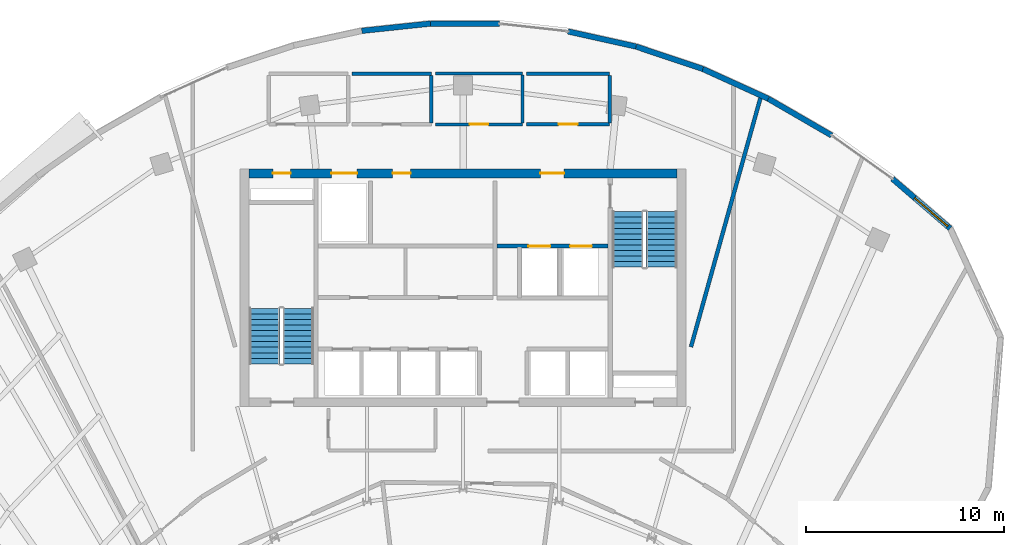
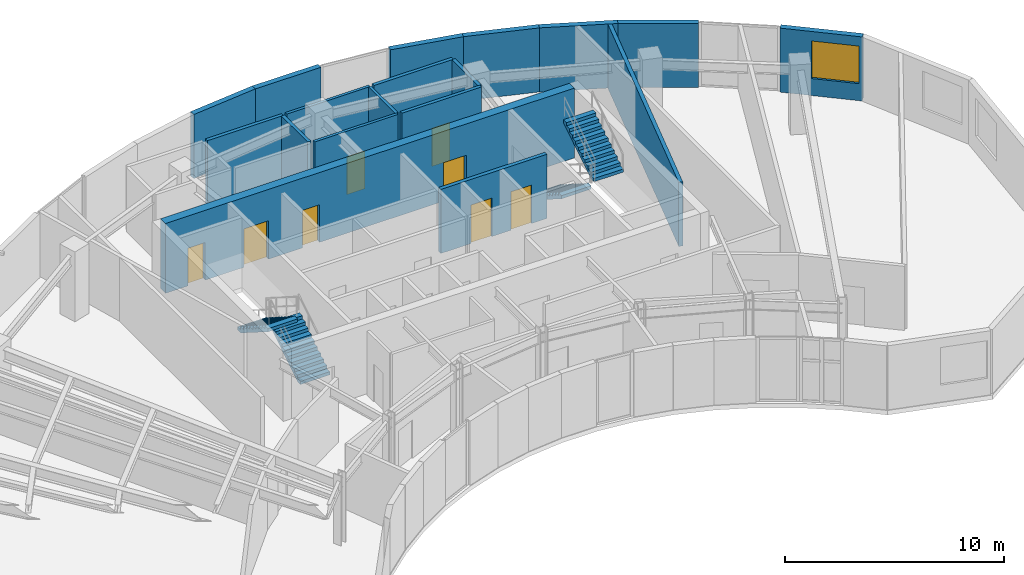
# One storey, part 10 of 12: 18 walls, 8 doors, 4 stair flights, 1 window, 9 openings, 2 elements without a shape of their own.
"""IFC4 building model written with IfcOpenShell, lengths in metres."""

from ifc_helpers import new_model, si_unit, direction, frame, frame_2d, origin, place, context, subcontext, project, spatial, polyline, rectangle, outline, extrude, source, transform, mapped, material, layer, layer_set, type_object, type_shapes, element, fill, aggregate, save


model = new_model("IFC4")

# Units and contexts
model_context = context("Model", 3, precision=1e-05, world=origin(), true_north=direction((0.0, 1.0)))
body_context = subcontext(model_context, "Body", "Model", "MODEL_VIEW")
ifc_project = project(units=[si_unit("LENGTHUNIT", "METRE"), si_unit("AREAUNIT", "SQUARE_METRE"), si_unit("VOLUMEUNIT", "CUBIC_METRE"), si_unit("PLANEANGLEUNIT", "RADIAN"), si_unit("MASSUNIT", "GRAM", prefix="KILO")], contexts=[model_context])

# Site, building, storey
site_placement = place(None, origin())
site = spatial("IfcSite", under=ifc_project, at=site_placement, CompositionType="ELEMENT")
building_placement = place(site_placement, origin())
building = spatial("IfcBuilding", under=site, at=building_placement, Name="Breltana Convention Tower", CompositionType="ELEMENT")
storey_placement = place(building_placement, frame((0.0, 0.0, 250.800048828125)))
storey = spatial("IfcBuildingStorey", under=building, at=storey_placement, Name="L61", CompositionType="ELEMENT", Elevation=250.800048828125)

# Wall, openings, doors
ifc_material_1 = material(Name="Concrete C60/75", Category="concrete")
ifc_layer_1 = layer(ifc_material_1, 0.449951171875, Name="Concrete C60/75")
ifc_layer_set_1 = layer_set([ifc_layer_1], Name="Concrete C60/75")
wall_type_1 = type_object("IfcWallType", Name="SW-CORE-450", PredefinedType="SHEAR", material=ifc_layer_set_1)
shared_shape_1 = source(origin(), body_context, "Body", "SweptSolid", [
    extrude(rectangle(XDim=21.60009765625, YDim=0.449951171875, at=frame_2d((10.800048828125, 0.0))), origin(), (0.0, 0.0, 1.0), 3.89990234375),
])
wall_1_placement = place(storey_placement, frame((37.199951171875, 71.97509765625, 0.0), z_axis=(0.0, 0.0, 1.0), x_axis=(1.0, 0.0, 0.0)))
wall_1 = element("IfcWall", 1, at=wall_1_placement, inside=storey, type_object=wall_type_1, Name="L61 North Core Shear Wall", PredefinedType="SHEAR", context=body_context, shape_type="MappedRepresentation", body=[
    mapped(shared_shape_1, transform((0.0, 0.0, 0.0), scale=1.0)),
])
opening_1_placement = place(wall_1_placement, frame((1.199951171875, 0.0, 0.0)))
opening_1 = element("IfcOpeningElement", 2, at=opening_1_placement, cuts=wall_1, Name="Opening D-18", PredefinedType="OPENING", context=body_context, shape_type="SweptSolid", body=[
    extrude(rectangle(XDim=0.89990234375, YDim=2.10009765625, at=frame_2d((0.449951171875, 1.050048828125))), frame((0.0, 0.23486328125, 0.0), z_axis=(0.0, -1.0, 0.0), x_axis=(1.0, 0.0, 0.0)), (0.0, 0.0, 1.0), 0.469970703125),
])
opening_2_placement = place(wall_1_placement, frame((14.699951171875, 0.0, 0.0)))
opening_2 = element("IfcOpeningElement", 3, at=opening_2_placement, cuts=wall_1, Name="Opening D-09", PredefinedType="OPENING", context=body_context, shape_type="SweptSolid", body=[
    extrude(rectangle(XDim=1.199951171875, YDim=2.14990234375, at=frame_2d((0.60009765625, 1.074951171875))), frame((0.0, 0.23486328125, 0.0), z_axis=(0.0, -1.0, 0.0), x_axis=(1.0, 0.0, 0.0)), (0.0, 0.0, 1.0), 0.469970703125),
])
opening_3_placement = place(wall_1_placement, frame((4.14990234375, 0.0, 0.0)))
opening_3 = element("IfcOpeningElement", 4, at=opening_3_placement, cuts=wall_1, Name="Opening LD-01", PredefinedType="OPENING", context=body_context, shape_type="SweptSolid", body=[
    extrude(rectangle(XDim=1.300048828125, YDim=2.14990234375, at=frame_2d((0.64990234375, 1.074951171875))), frame((0.0, 0.23486328125, 0.0), z_axis=(0.0, -1.0, 0.0), x_axis=(1.0, 0.0, 0.0)), (0.0, 0.0, 1.0), 0.469970703125),
])
opening_4_placement = place(wall_1_placement, frame((7.25, 0.0, 0.0)))
opening_4 = element("IfcOpeningElement", 5, at=opening_4_placement, cuts=wall_1, Name="Opening D-18", PredefinedType="OPENING", context=body_context, shape_type="SweptSolid", body=[
    extrude(rectangle(XDim=0.89990234375, YDim=2.10009765625, at=frame_2d((0.449951171875, 1.050048828125))), frame((0.0, 0.23486328125, 0.0), z_axis=(0.0, -1.0, 0.0), x_axis=(1.0, 0.0, 0.0)), (0.0, 0.0, 1.0), 0.469970703125),
])
ifc_material_2 = material(Name="Steel Riser Fire Door", Category="steel")
door_type_1 = type_object("IfcDoorType", Name="DR-FD60-900", OperationType="NOTDEFINED", PredefinedType="DOOR", material=ifc_material_2)
shared_shape_2 = source(origin(), body_context, "Body", "SweptSolid", [
    extrude(rectangle(XDim=0.89990234375, YDim=2.10009765625, at=frame_2d((0.449951171875, 1.050048828125))), frame((0.0, 0.02490234375, 0.0), z_axis=(0.0, -1.0, 0.0), x_axis=(1.0, 0.0, 0.0)), (0.0, 0.0, 1.0), 0.050048828125),
])
type_shapes(door_type_1, [shared_shape_2])
door_1_placement = place(opening_1_placement, origin())
door_1 = element("IfcDoor", 6, at=door_1_placement, inside=storey, type_object=door_type_1, Name="L61 Core Riser Access Door D-L61-RS1", OperationType="SINGLE_SWING_LEFT", OverallHeight=2.10009765625, OverallWidth=0.89990234375, PredefinedType="DOOR", context=body_context, shape_type="MappedRepresentation", body=[
    mapped(shared_shape_2, transform((0.0, 0.0, 0.0), scale=1.0)),
])
fill(opening_1, door_1)
door_2_placement = place(opening_4_placement, origin())
door_2 = element("IfcDoor", 7, at=door_2_placement, inside=storey, type_object=door_type_1, Name="L61 interior door D-L61-CRA1", OperationType="SINGLE_SWING_LEFT", OverallHeight=2.10009765625, OverallWidth=0.89990234375, PredefinedType="DOOR", context=body_context, shape_type="MappedRepresentation", body=[
    mapped(shared_shape_2, transform((0.0, 0.0, 0.0), scale=1.0)),
])
fill(opening_4, door_2)
ifc_material_3 = material(Name="Steel Fire Lobby Door", Category="steel")
door_type_2 = type_object("IfcDoorType", Name="DR-FD120-1200", OperationType="NOTDEFINED", PredefinedType="DOOR", material=ifc_material_3)
shared_shape_3 = source(origin(), body_context, "Body", "SweptSolid", [
    extrude(rectangle(XDim=1.199951171875, YDim=2.14990234375, at=frame_2d((0.60009765625, 1.074951171875))), frame((0.0, 0.02490234375, 0.0), z_axis=(0.0, -1.0, 0.0), x_axis=(1.0, 0.0, 0.0)), (0.0, 0.0, 1.0), 0.050048828125),
])
type_shapes(door_type_2, [shared_shape_3])
door_3_placement = place(opening_2_placement, origin())
door_3 = element("IfcDoor", 8, at=door_3_placement, inside=storey, type_object=door_type_2, Name="L61 interior door D-L61-FFL-N", OperationType="SINGLE_SWING_RIGHT", OverallHeight=2.14990234375, OverallWidth=1.199951171875, PredefinedType="DOOR", context=body_context, shape_type="MappedRepresentation", body=[
    mapped(shared_shape_3, transform((0.0, 0.0, 0.0), scale=1.0)),
])
fill(opening_2, door_3)
ifc_material_4 = material(Name="Stainless Steel Brushed", Category="steel")
door_type_3 = type_object("IfcDoorType", Name="DR-LD-SRV-1300", OperationType="DOUBLE_DOOR_SLIDING", PredefinedType="DOOR", material=ifc_material_4)
shared_shape_4 = source(origin(), body_context, "Body", "SweptSolid", [
    extrude(rectangle(XDim=1.300048828125, YDim=2.14990234375, at=frame_2d((0.64990234375, 1.074951171875))), frame((0.0, 0.02490234375, 0.0), z_axis=(0.0, -1.0, 0.0), x_axis=(1.0, 0.0, 0.0)), (0.0, 0.0, 1.0), 0.050048828125),
])
type_shapes(door_type_3, [shared_shape_4])
door_4_placement = place(opening_3_placement, origin())
door_4 = element("IfcDoor", 9, at=door_4_placement, inside=storey, type_object=door_type_3, Name="L61 Lift Landing Door D-L61-LD-SV1", OperationType="DOUBLE_DOOR_SLIDING", OverallHeight=2.14990234375, OverallWidth=1.300048828125, PredefinedType="DOOR", context=body_context, shape_type="MappedRepresentation", body=[
    mapped(shared_shape_4, transform((0.0, 0.0, 0.0), scale=1.0)),
])
fill(opening_3, door_4)

# Walls
ifc_material_5 = material(Name="Limestone Buff Insulated Wall", Category="masonry")
ifc_layer_2 = layer(ifc_material_5, 0.280029296875, Name="Limestone Buff Insulated Wall")
ifc_layer_set_2 = layer_set([ifc_layer_2], Name="Limestone Buff Insulated Wall")
wall_type_2 = type_object("IfcWallType", Name="WL-EXT-NOSE-280", PredefinedType="SOLIDWALL", material=ifc_layer_set_2)
shared_shape_5 = source(origin(), body_context, "Body", "SweptSolid", [
    extrude(rectangle(XDim=3.486328125, YDim=0.280029296875, at=frame_2d((1.7431640625, 0.0))), origin(), (0.0, 0.0, 1.0), 3.579833984375),
])
wall_2_placement = place(storey_placement, frame((42.887939453125, 79.163818359375, 0.0), z_axis=(0.0, 0.0, 1.0), x_axis=(0.994423029828, 0.105464864994, 0.0)))
element("IfcWall", 10, at=wall_2_placement, inside=storey, type_object=wall_type_2, Name="L61 curved limestone nose wall E27", PredefinedType="SOLIDWALL", context=body_context, shape_type="MappedRepresentation", body=[
    mapped(shared_shape_5, transform((0.0, 0.0, 0.0), scale=1.0)),
])
shared_shape_6 = source(origin(), body_context, "Body", "SweptSolid", [
    extrude(rectangle(XDim=3.477294921875, YDim=0.280029296875, at=frame_2d((1.73876953125, 0.0))), origin(), (0.0, 0.0, 1.0), 3.579833984375),
])
wall_3_placement = place(storey_placement, frame((46.354736328125, 79.531494140625, 0.0), z_axis=(0.0, 0.0, 1.0), x_axis=(0.999995652268, -0.002948804142, 0.0)))
element("IfcWall", 11, at=wall_3_placement, inside=storey, type_object=wall_type_2, Name="L61 curved limestone nose wall E28", PredefinedType="SOLIDWALL", context=body_context, shape_type="MappedRepresentation", body=[
    mapped(shared_shape_6, transform((0.0, 0.0, 0.0), scale=1.0)),
])
shared_shape_7 = source(origin(), body_context, "Body", "SweptSolid", [
    extrude(rectangle(XDim=3.514892578125, YDim=0.280029296875, at=frame_2d((1.75732421875, 0.0))), origin(), (0.0, 0.0, 1.0), 3.579833984375),
])
wall_4_placement = place(storey_placement, frame((53.297607421875, 79.13330078125, 0.0), z_axis=(0.0, 0.0, 1.0), x_axis=(0.976144550296, -0.217121663884, 0.0)))
element("IfcWall", 12, at=wall_4_placement, inside=storey, type_object=wall_type_2, Name="L61 curved limestone nose wall E29", PredefinedType="SOLIDWALL", context=body_context, shape_type="MappedRepresentation", body=[
    mapped(shared_shape_7, transform((0.0, 0.0, 0.0), scale=1.0)),
])
shared_shape_8 = source(origin(), body_context, "Body", "SweptSolid", [
    extrude(rectangle(XDim=3.559326171875, YDim=0.280029296875, at=frame_2d((1.77978515625, 0.0))), origin(), (0.0, 0.0, 1.0), 3.579833984375),
])
wall_5_placement = place(storey_placement, frame((56.728759765625, 78.3701171875, 0.0), z_axis=(0.0, 0.0, 1.0), x_axis=(0.947933000453, -0.31846982063, 0.0)))
element("IfcWall", 13, at=wall_5_placement, inside=storey, type_object=wall_type_2, Name="L61 curved limestone nose wall E30", PredefinedType="SOLIDWALL", context=body_context, shape_type="MappedRepresentation", body=[
    mapped(shared_shape_8, transform((0.0, 0.0, 0.0), scale=1.0)),
])
shared_shape_9 = source(origin(), body_context, "Body", "SweptSolid", [
    extrude(rectangle(XDim=3.619384765625, YDim=0.280029296875, at=frame_2d((1.8095703125, 0.0))), origin(), (0.0, 0.0, 1.0), 3.579833984375),
])
wall_6_placement = place(storey_placement, frame((60.102783203125, 77.236572265625, 0.0), z_axis=(0.0, 0.0, 1.0), x_axis=(0.910479634963, -0.413553907391, 0.0)))
element("IfcWall", 14, at=wall_6_placement, inside=storey, type_object=wall_type_2, Name="L61 curved limestone nose wall E31", PredefinedType="SOLIDWALL", context=body_context, shape_type="MappedRepresentation", body=[
    mapped(shared_shape_9, transform((0.0, 0.0, 0.0), scale=1.0)),
])
shared_shape_10 = source(origin(), body_context, "Body", "SweptSolid", [
    extrude(rectangle(XDim=3.69189453125, YDim=0.280029296875, at=frame_2d((1.845947265625, 0.0))), origin(), (0.0, 0.0, 1.0), 3.579833984375),
])
wall_7_placement = place(storey_placement, frame((63.398193359375, 75.73974609375, 0.0), z_axis=(0.0, 0.0, 1.0), x_axis=(0.86534327136, -0.501179631181, 0.0)))
element("IfcWall", 15, at=wall_7_placement, inside=storey, type_object=wall_type_2, Name="L61 curved limestone nose wall E32", PredefinedType="SOLIDWALL", context=body_context, shape_type="MappedRepresentation", body=[
    mapped(shared_shape_10, transform((0.0, 0.0, 0.0), scale=1.0)),
])

# Wall, opening, window
shared_shape_11 = source(origin(), body_context, "Body", "SweptSolid", [
    extrude(rectangle(XDim=3.833984375, YDim=0.280029296875, at=frame_2d((1.9169921875, 0.0))), origin(), (0.0, 0.0, 1.0), 3.579833984375),
])
wall_8_placement = place(storey_placement, frame((69.66650390625, 71.697265625, 0.0), z_axis=(0.0, 0.0, 1.0), x_axis=(0.75839292431, -0.651797646787, 0.0)))
wall_8 = element("IfcWall", 16, at=wall_8_placement, inside=storey, type_object=wall_type_2, Name="L61 curved limestone nose wall E33", PredefinedType="SOLIDWALL", context=body_context, shape_type="MappedRepresentation", body=[
    mapped(shared_shape_11, transform((0.0, 0.0, 0.0), scale=1.0)),
])
opening_5_placement = place(wall_8_placement, frame((1.473876953125, 0.0, 0.949951171875)))
opening_5 = element("IfcOpeningElement", 17, at=opening_5_placement, cuts=wall_8, Name="Opening W-03", PredefinedType="OPENING", context=body_context, shape_type="SweptSolid", body=[
    extrude(rectangle(XDim=2.199951171875, YDim=2.10009765625, at=frame_2d((1.10009765625, 1.050048828125))), frame((0.0, 0.14990234375, 0.0), z_axis=(0.0, -1.0, 0.0), x_axis=(1.0, 0.0, 0.0)), (0.0, 0.0, 1.0), 0.300048828125),
])
ifc_material_6 = material(Name="Glass Low-E Insulated Window", Category="glass")
window_type = type_object("IfcWindowType", Name="WN-NOSE-2200X2100", PartitioningType="TRIPLE_PANEL_VERTICAL", PredefinedType="WINDOW", material=ifc_material_6)
shared_shape_12 = source(origin(), body_context, "Body", "SweptSolid", [
    extrude(rectangle(XDim=2.199951171875, YDim=2.10009765625, at=frame_2d((1.10009765625, 1.050048828125))), frame((0.0, 0.030029296875, 0.0), z_axis=(0.0, -1.0, 0.0), x_axis=(1.0, 0.0, 0.0)), (0.0, 0.0, 1.0), 0.06005859375),
])
type_shapes(window_type, [shared_shape_12])
window_placement = place(opening_5_placement, origin())
window = element("IfcWindow", 18, at=window_placement, inside=storey, type_object=window_type, Name="L61 nose window E33", OverallHeight=2.10009765625, OverallWidth=2.199951171875, PartitioningType="TRIPLE_PANEL_VERTICAL", PredefinedType="WINDOW", context=body_context, shape_type="MappedRepresentation", body=[
    mapped(shared_shape_12, transform((0.0, 0.0, 0.0), scale=1.0)),
])
fill(opening_5, window)

# Wall, openings, doors
ifc_material_7 = material(Name="Autoclaved Aerated Concrete Block", Category="concrete")
ifc_layer_3 = layer(ifc_material_7, 0.199951171875, Name="Autoclaved Aerated Concrete Block")
ifc_layer_set_3 = layer_set([ifc_layer_3], Name="Autoclaved Aerated Concrete Block")
wall_type_3 = type_object("IfcWallType", Name="WL-SHAFT-200", PredefinedType="SOLIDWALL", material=ifc_layer_set_3)
shared_shape_13 = source(origin(), body_context, "Body", "SweptSolid", [
    extrude(rectangle(XDim=5.6201171875, YDim=0.199951171875, at=frame_2d((2.81005859375, 0.0))), origin(), (0.0, 0.0, 1.0), 3.579833984375),
])
wall_9_placement = place(storey_placement, frame((49.699951171875, 68.300048828125, 0.0), z_axis=(0.0, 0.0, 1.0), x_axis=(1.0, 0.0, 0.0)))
wall_9 = element("IfcWall", 19, at=wall_9_placement, inside=storey, type_object=wall_type_3, Name="L61 interior partition W-L61-FFL-S", PredefinedType="SOLIDWALL", context=body_context, shape_type="MappedRepresentation", body=[
    mapped(shared_shape_13, transform((0.0, 0.0, 0.0), scale=1.0)),
])
opening_6_placement = place(wall_9_placement, frame((1.60009765625, 0.0, 0.0)))
opening_6 = element("IfcOpeningElement", 20, at=opening_6_placement, cuts=wall_9, Name="Opening LD-03", PredefinedType="OPENING", context=body_context, shape_type="SweptSolid", body=[
    extrude(rectangle(XDim=1.10009765625, YDim=2.14990234375, at=frame_2d((0.550048828125, 1.074951171875))), frame((0.0, 0.10986328125, 0.0), z_axis=(0.0, -1.0, 0.0), x_axis=(1.0, 0.0, 0.0)), (0.0, 0.0, 1.0), 0.219970703125),
])
opening_7_placement = place(wall_9_placement, frame((3.699951171875, 0.0, 0.0)))
opening_7 = element("IfcOpeningElement", 21, at=opening_7_placement, cuts=wall_9, Name="Opening LD-03", PredefinedType="OPENING", context=body_context, shape_type="SweptSolid", body=[
    extrude(rectangle(XDim=1.10009765625, YDim=2.14990234375, at=frame_2d((0.550048828125, 1.074951171875))), frame((0.0, 0.10986328125, 0.0), z_axis=(0.0, -1.0, 0.0), x_axis=(1.0, 0.0, 0.0)), (0.0, 0.0, 1.0), 0.219970703125),
])
door_type_4 = type_object("IfcDoorType", Name="DR-LD-FF-1100", OperationType="DOUBLE_DOOR_SLIDING", PredefinedType="DOOR", material=ifc_material_4)
shared_shape_14 = source(origin(), body_context, "Body", "SweptSolid", [
    extrude(rectangle(XDim=1.10009765625, YDim=2.14990234375, at=frame_2d((0.550048828125, 1.074951171875))), frame((0.0, 0.02490234375, 0.0), z_axis=(0.0, -1.0, 0.0), x_axis=(1.0, 0.0, 0.0)), (0.0, 0.0, 1.0), 0.050048828125),
])
type_shapes(door_type_4, [shared_shape_14])
door_5_placement = place(opening_6_placement, origin())
door_5 = element("IfcDoor", 22, at=door_5_placement, inside=storey, type_object=door_type_4, Name="L61 Lift Landing Door D-L61-LD-FL1", OperationType="DOUBLE_DOOR_SLIDING", OverallHeight=2.14990234375, OverallWidth=1.10009765625, PredefinedType="DOOR", context=body_context, shape_type="MappedRepresentation", body=[
    mapped(shared_shape_14, transform((0.0, 0.0, 0.0), scale=1.0)),
])
fill(opening_6, door_5)
door_6_placement = place(opening_7_placement, origin())
door_6 = element("IfcDoor", 23, at=door_6_placement, inside=storey, type_object=door_type_4, Name="L61 Lift Landing Door D-L61-LD-FL2", OperationType="DOUBLE_DOOR_SLIDING", OverallHeight=2.14990234375, OverallWidth=1.10009765625, PredefinedType="DOOR", context=body_context, shape_type="MappedRepresentation", body=[
    mapped(shared_shape_14, transform((0.0, 0.0, 0.0), scale=1.0)),
])
fill(opening_7, door_6)

# Walls
ifc_material_8 = material(Name="Moisture-Resistant Gypsum Chase Wall")
ifc_layer_4 = layer(ifc_material_8, 0.179931640625, Name="Moisture-Resistant Gypsum Chase Wall")
ifc_layer_set_4 = layer_set([ifc_layer_4], Name="Moisture-Resistant Gypsum Chase Wall")
wall_type_4 = type_object("IfcWallType", Name="WL-PLUMB-180", PredefinedType="PLUMBINGWALL", material=ifc_layer_set_4)
shared_shape_15 = source(origin(), body_context, "Body", "SweptSolid", [
    extrude(rectangle(XDim=4.0, YDim=0.179931640625, at=frame_2d((2.0, 0.0))), origin(), (0.0, 0.0, 1.0), 3.579833984375),
])
wall_10_placement = place(storey_placement, frame((42.39990234375, 77.0, 0.0), z_axis=(0.0, 0.0, 1.0), x_axis=(1.0, 0.0, 0.0)))
element("IfcWall", 24, at=wall_10_placement, inside=storey, type_object=wall_type_4, Name="L61 interior partition W-L61-WCF-N", PredefinedType="PLUMBINGWALL", context=body_context, shape_type="MappedRepresentation", body=[
    mapped(shared_shape_15, transform((0.0, 0.0, 0.0), scale=1.0)),
])
ifc_material_9 = material(Name="Cement Board Wet-Area Partition")
ifc_layer_5 = layer(ifc_material_9, 0.175048828125, Name="Cement Board Wet-Area Partition")
ifc_layer_set_5 = layer_set([ifc_layer_5], Name="Cement Board Wet-Area Partition")
wall_type_5 = type_object("IfcWallType", Name="WL-WET-175", PredefinedType="PARTITIONING", material=ifc_layer_set_5)
shared_shape_16 = source(origin(), body_context, "Body", "SweptSolid", [
    extrude(rectangle(XDim=2.402587890625, YDim=0.175048828125, at=frame_2d((1.201171875, 0.0))), origin(), (0.0, 0.0, 1.0), 3.579833984375),
])
for number, where, z_axis, x_axis, name in (
    (25, (46.39990234375, 74.518798828125, 0.0), (0.0, 0.0, 1.0), (0.0, 1.0, 0.0), "L61 interior partition W-L61-WCF-E"),
    (26, (55.39990234375, 74.518798828125, 0.0), (0.0, 0.0, 1.0), (0.0, 1.0, 0.0), "L61 interior partition W-L61-WCA-E"),
):
    element("IfcWall", number, at=place(storey_placement, frame(where, z_axis=z_axis, x_axis=x_axis)), inside=storey, type_object=wall_type_5, Name=name, PredefinedType="PARTITIONING", context=body_context, shape_type="MappedRepresentation", body=[
        mapped(shared_shape_16, transform((0.0, 0.0, 0.0), scale=1.0)),
    ])

# Wall, opening, door
ifc_material_10 = material(Name="Gypsum Acoustic Drywall Partition")
ifc_layer_6 = layer(ifc_material_10, 0.14990234375, Name="Gypsum Acoustic Drywall Partition")
ifc_layer_set_6 = layer_set([ifc_layer_6], Name="Gypsum Acoustic Drywall Partition")
wall_type_6 = type_object("IfcWallType", Name="WL-PART-150", PredefinedType="PARTITIONING", material=ifc_layer_set_6)
shared_shape_17 = source(origin(), body_context, "Body", "SweptSolid", [
    extrude(rectangle(XDim=4.39990234375, YDim=0.14990234375, at=frame_2d((2.199951171875, 0.0))), origin(), (0.0, 0.0, 1.0), 3.579833984375),
])
wall_11_placement = place(storey_placement, frame((46.60009765625, 74.43994140625, 0.0), z_axis=(0.0, 0.0, 1.0), x_axis=(1.0, 0.0, 0.0)))
wall_11 = element("IfcWall", 27, at=wall_11_placement, inside=storey, type_object=wall_type_6, Name="L61 interior partition W-L61-PNT-S", PredefinedType="PARTITIONING", context=body_context, shape_type="MappedRepresentation", body=[
    mapped(shared_shape_17, transform((0.0, 0.0, 0.0), scale=1.0)),
])
opening_8_placement = place(wall_11_placement, frame((1.72509765625, 0.0, 0.0)))
opening_8 = element("IfcOpeningElement", 28, at=opening_8_placement, cuts=wall_11, Name="Opening D-17", PredefinedType="OPENING", context=body_context, shape_type="SweptSolid", body=[
    extrude(rectangle(XDim=0.949951171875, YDim=2.10009765625, at=frame_2d((0.47509765625, 1.050048828125))), frame((0.0, 0.0849609375, 0.0), z_axis=(0.0, -1.0, 0.0), x_axis=(1.0, 0.0, 0.0)), (0.0, 0.0, 1.0), 0.169921875),
])
ifc_material_11 = material(Name="Timber Oak Veneer Door", Category="wood")
door_type_5 = type_object("IfcDoorType", Name="DR-INT-950", OperationType="NOTDEFINED", PredefinedType="DOOR", material=ifc_material_11)
shared_shape_18 = source(origin(), body_context, "Body", "SweptSolid", [
    extrude(rectangle(XDim=0.949951171875, YDim=2.10009765625, at=frame_2d((0.47509765625, 1.050048828125))), frame((0.0, 0.02490234375, 0.0), z_axis=(0.0, -1.0, 0.0), x_axis=(1.0, 0.0, 0.0)), (0.0, 0.0, 1.0), 0.050048828125),
])
type_shapes(door_type_5, [shared_shape_18])
door_7_placement = place(opening_8_placement, origin())
door_7 = element("IfcDoor", 29, at=door_7_placement, inside=storey, type_object=door_type_5, Name="L61 interior door D-L61-PNT", OperationType="SINGLE_SWING_LEFT", OverallHeight=2.10009765625, OverallWidth=0.949951171875, PredefinedType="DOOR", context=body_context, shape_type="MappedRepresentation", body=[
    mapped(shared_shape_18, transform((0.0, 0.0, 0.0), scale=1.0)),
])
fill(opening_8, door_7)

# Walls
wall_12_placement = place(storey_placement, frame((46.60009765625, 77.0, 0.0), z_axis=(0.0, 0.0, 1.0), x_axis=(1.0, 0.0, 0.0)))
element("IfcWall", 30, at=wall_12_placement, inside=storey, type_object=wall_type_6, Name="L61 interior partition W-L61-PNT-N", PredefinedType="PARTITIONING", context=body_context, shape_type="MappedRepresentation", body=[
    mapped(shared_shape_17, transform((0.0, 0.0, 0.0), scale=1.0)),
])
shared_shape_19 = source(origin(), body_context, "Body", "SweptSolid", [
    extrude(rectangle(XDim=2.425048828125, YDim=0.14990234375, at=frame_2d((1.21240234375, 0.0))), origin(), (0.0, 0.0, 1.0), 3.579833984375),
])
wall_13_placement = place(storey_placement, frame((51.0, 74.507568359375, 0.0), z_axis=(0.0, 0.0, 1.0), x_axis=(0.0, 1.0, 0.0)))
element("IfcWall", 31, at=wall_13_placement, inside=storey, type_object=wall_type_6, Name="L61 interior partition W-L61-PNT-E", PredefinedType="PARTITIONING", context=body_context, shape_type="MappedRepresentation", body=[
    mapped(shared_shape_19, transform((0.0, 0.0, 0.0), scale=1.0)),
])

# Wall, opening, door
shared_shape_20 = source(origin(), body_context, "Body", "SweptSolid", [
    extrude(rectangle(XDim=4.199951171875, YDim=0.175048828125, at=frame_2d((2.10009765625, 0.0))), origin(), (0.0, 0.0, 1.0), 3.579833984375),
])
wall_14_placement = place(storey_placement, frame((51.199951171875, 74.43994140625, 0.0), z_axis=(0.0, 0.0, 1.0), x_axis=(1.0, 0.0, 0.0)))
wall_14 = element("IfcWall", 32, at=wall_14_placement, inside=storey, type_object=wall_type_5, Name="L61 interior partition W-L61-WCA-S", PredefinedType="PARTITIONING", context=body_context, shape_type="MappedRepresentation", body=[
    mapped(shared_shape_20, transform((0.0, 0.0, 0.0), scale=1.0)),
])
opening_9_placement = place(wall_14_placement, frame((1.625, 0.0, 0.0)))
opening_9 = element("IfcOpeningElement", 33, at=opening_9_placement, cuts=wall_14, Name="Opening D-16", PredefinedType="OPENING", context=body_context, shape_type="SweptSolid", body=[
    extrude(rectangle(XDim=0.949951171875, YDim=2.1201171875, at=frame_2d((0.47509765625, 1.06005859375))), frame((0.0, 0.09765625, 0.0), z_axis=(0.0, -1.0, 0.0), x_axis=(1.0, 0.0, 0.0)), (0.0, 0.0, 1.0), 0.195068359375),
])
ifc_material_12 = material(Name="Timber Laminate Accessible Door", Category="wood")
door_type_6 = type_object("IfcDoorType", Name="DR-ACC-950", OperationType="NOTDEFINED", PredefinedType="DOOR", material=ifc_material_12)
shared_shape_21 = source(origin(), body_context, "Body", "SweptSolid", [
    extrude(rectangle(XDim=0.949951171875, YDim=2.1201171875, at=frame_2d((0.47509765625, 1.06005859375))), frame((0.0, 0.02490234375, 0.0), z_axis=(0.0, -1.0, 0.0), x_axis=(1.0, 0.0, 0.0)), (0.0, 0.0, 1.0), 0.050048828125),
])
type_shapes(door_type_6, [shared_shape_21])
door_8_placement = place(opening_9_placement, origin())
door_8 = element("IfcDoor", 34, at=door_8_placement, inside=storey, type_object=door_type_6, Name="L61 interior door D-L61-WCA", OperationType="SINGLE_SWING_RIGHT", OverallHeight=2.1201171875, OverallWidth=0.949951171875, PredefinedType="DOOR", context=body_context, shape_type="MappedRepresentation", body=[
    mapped(shared_shape_21, transform((0.0, 0.0, 0.0), scale=1.0)),
])
fill(opening_9, door_8)

# Walls
shared_shape_22 = source(origin(), body_context, "Body", "SweptSolid", [
    extrude(rectangle(XDim=4.199951171875, YDim=0.179931640625, at=frame_2d((2.10009765625, 0.0))), origin(), (0.0, 0.0, 1.0), 3.579833984375),
])
wall_15_placement = place(storey_placement, frame((51.199951171875, 77.0, 0.0), z_axis=(0.0, 0.0, 1.0), x_axis=(1.0, 0.0, 0.0)))
element("IfcWall", 35, at=wall_15_placement, inside=storey, type_object=wall_type_4, Name="L61 interior partition W-L61-WCA-N", PredefinedType="PLUMBINGWALL", context=body_context, shape_type="MappedRepresentation", body=[
    mapped(shared_shape_22, transform((0.0, 0.0, 0.0), scale=1.0)),
])
ifc_material_13 = material(Name="Gypsum Acoustic Hotel Wall")
ifc_layer_7 = layer(ifc_material_13, 0.195068359375, Name="Gypsum Acoustic Hotel Wall")
ifc_layer_set_7 = layer_set([ifc_layer_7], Name="Gypsum Acoustic Hotel Wall")
wall_type_7 = type_object("IfcWallType", Name="WL-HOTEL-200", PredefinedType="PARTITIONING", material=ifc_layer_set_7)
shared_shape_23 = source(origin(), body_context, "Body", "SweptSolid", [
    extrude(rectangle(XDim=13.1611328125, YDim=0.195068359375, at=frame_2d((6.58056640625, 0.0))), origin(), (0.0, 0.0, 1.0), 3.579833984375),
])
wall_16_placement = place(storey_placement, frame((59.5, 63.2158203125, 0.0), z_axis=(0.0, 0.0, 1.0), x_axis=(0.268752541286, 0.963209256368, 0.0)))
element("IfcWall", 36, at=wall_16_placement, inside=storey, type_object=wall_type_7, Name="L61 interior partition W-L61-EXER1-RA", PredefinedType="PARTITIONING", context=body_context, shape_type="MappedRepresentation", body=[
    mapped(shared_shape_23, transform((0.0, 0.0, 0.0), scale=1.0)),
])

# Stair, stair flights
ifc_material_14 = material(Name="Concrete C40/50", Category="concrete")
stair_type = type_object("IfcStairType", Name="ST-DOG-1560-R177", PredefinedType="HALF_TURN_STAIR", material=ifc_material_14)
stair_1_placement = place(storey_placement, origin())
stair_1 = element("IfcStair", 37, at=stair_1_placement, inside=storey, type_object=stair_type, Name="L61 Protected Core Exit Stair ST-1", PredefinedType="HALF_TURN_STAIR")
stair_flight_type = type_object("IfcStairFlightType", Name="STF-DOG-1560-N11-R177", PredefinedType="STRAIGHT", material=ifc_material_14)
stair_flight_1_placement = place(storey_placement, frame((39.68994140625, 62.360107421875, 0.0), z_axis=(0.0, 0.0, 1.0), x_axis=(0.0, 1.0, 0.0)))
stair_flight_1 = element("IfcStairFlight", 38, at=stair_flight_1_placement, type_object=stair_flight_type, Name="ST-1 flight 1", NumberOfRisers=11, NumberOfTreads=10, PredefinedType="STRAIGHT", RiserHeight=0.177272727, TreadLength=0.28, context=body_context, shape_type="SweptSolid", body=[
    extrude(outline(polyline([(0.0, 0.0), (0.0, 0.17724609375), (0.280029296875, 0.17724609375), (0.280029296875, 0.3544921875), (0.56005859375, 0.3544921875), (0.56005859375, 0.53173828125), (0.840087890625, 0.53173828125), (0.840087890625, 0.708984375), (1.1201171875, 0.708984375), (1.1201171875, 0.886474609375), (1.39990234375, 0.886474609375), (1.39990234375, 1.063720703125), (1.679931640625, 1.063720703125), (1.679931640625, 1.240966796875), (1.9599609375, 1.240966796875), (1.9599609375, 1.418212890625), (2.239990234375, 1.418212890625), (2.239990234375, 1.595458984375), (2.52001953125, 1.595458984375), (2.52001953125, 1.772705078125), (2.800048828125, 1.772705078125), (2.800048828125, 1.949951171875), (2.800048828125, 1.59521484375), (0.2802734375, 0.0), (0.0, 0.0)])), frame((0.0, 0.780029296875, 0.0), z_axis=(0.0, -1.0, 0.0), x_axis=(1.0, 0.0, 0.0)), (0.0, 0.0, 1.0), 1.56005859375),
])
stair_flight_2_placement = place(storey_placement, frame((37.97998046875, 65.159912109375, 1.949951171875), z_axis=(0.0, 0.0, 1.0), x_axis=(0.0, -1.0, 0.0)))
stair_flight_2 = element("IfcStairFlight", 39, at=stair_flight_2_placement, type_object=stair_flight_type, Name="ST-1 flight 2", NumberOfRisers=11, NumberOfTreads=10, PredefinedType="STRAIGHT", RiserHeight=0.177272727, TreadLength=0.28, context=body_context, shape_type="SweptSolid", body=[
    extrude(outline(polyline([(0.0, 0.0), (0.0, 0.17724609375), (0.280029296875, 0.17724609375), (0.280029296875, 0.3544921875), (0.56005859375, 0.3544921875), (0.56005859375, 0.53173828125), (0.840087890625, 0.53173828125), (0.840087890625, 0.708984375), (1.1201171875, 0.708984375), (1.1201171875, 0.886474609375), (1.39990234375, 0.886474609375), (1.39990234375, 1.063720703125), (1.679931640625, 1.063720703125), (1.679931640625, 1.240966796875), (1.9599609375, 1.240966796875), (1.9599609375, 1.418212890625), (2.239990234375, 1.418212890625), (2.239990234375, 1.595458984375), (2.52001953125, 1.595458984375), (2.52001953125, 1.772705078125), (2.800048828125, 1.772705078125), (2.800048828125, 1.949951171875), (2.800048828125, 1.59521484375), (0.2802734375, 0.0), (0.0, 0.0)])), frame((0.0, 0.780029296875, 0.0), z_axis=(0.0, -1.0, 0.0), x_axis=(1.0, 0.0, 0.0)), (0.0, 0.0, 1.0), 1.56005859375),
])
aggregate(stair_1, [stair_flight_1, stair_flight_2])

stair_2_placement = place(storey_placement, origin())
stair_2 = element("IfcStair", 40, at=stair_2_placement, inside=storey, type_object=stair_type, Name="L61 Protected Core Exit Stair ST-2", PredefinedType="HALF_TURN_STAIR")
stair_flight_3_placement = place(storey_placement, frame((56.31005859375, 70.0400390625, 0.0), z_axis=(0.0, 0.0, 1.0), x_axis=(0.0, -1.0, 0.0)))
stair_flight_3 = element("IfcStairFlight", 41, at=stair_flight_3_placement, type_object=stair_flight_type, Name="ST-2 flight 1", NumberOfRisers=11, NumberOfTreads=10, PredefinedType="STRAIGHT", RiserHeight=0.177272727, TreadLength=0.28, context=body_context, shape_type="SweptSolid", body=[
    extrude(outline(polyline([(0.0, 0.0), (0.0, 0.17724609375), (0.280029296875, 0.17724609375), (0.280029296875, 0.3544921875), (0.56005859375, 0.3544921875), (0.56005859375, 0.53173828125), (0.840087890625, 0.53173828125), (0.840087890625, 0.708984375), (1.1201171875, 0.708984375), (1.1201171875, 0.886474609375), (1.39990234375, 0.886474609375), (1.39990234375, 1.063720703125), (1.679931640625, 1.063720703125), (1.679931640625, 1.240966796875), (1.9599609375, 1.240966796875), (1.9599609375, 1.418212890625), (2.239990234375, 1.418212890625), (2.239990234375, 1.595458984375), (2.52001953125, 1.595458984375), (2.52001953125, 1.772705078125), (2.800048828125, 1.772705078125), (2.800048828125, 1.949951171875), (2.800048828125, 1.59521484375), (0.2802734375, 0.0), (0.0, 0.0)])), frame((0.0, 0.780029296875, 0.0), z_axis=(0.0, -1.0, 0.0), x_axis=(1.0, 0.0, 0.0)), (0.0, 0.0, 1.0), 1.56005859375),
])
stair_flight_4_placement = place(storey_placement, frame((58.02001953125, 67.239990234375, 1.949951171875), z_axis=(0.0, 0.0, 1.0), x_axis=(0.0, 1.0, 0.0)))
stair_flight_4 = element("IfcStairFlight", 42, at=stair_flight_4_placement, type_object=stair_flight_type, Name="ST-2 flight 2", NumberOfRisers=11, NumberOfTreads=10, PredefinedType="STRAIGHT", RiserHeight=0.177272727, TreadLength=0.28, context=body_context, shape_type="SweptSolid", body=[
    extrude(outline(polyline([(0.0, 0.0), (0.0, 0.17724609375), (0.280029296875, 0.17724609375), (0.280029296875, 0.3544921875), (0.56005859375, 0.3544921875), (0.56005859375, 0.53173828125), (0.840087890625, 0.53173828125), (0.840087890625, 0.708984375), (1.1201171875, 0.708984375), (1.1201171875, 0.886474609375), (1.39990234375, 0.886474609375), (1.39990234375, 1.063720703125), (1.679931640625, 1.063720703125), (1.679931640625, 1.240966796875), (1.9599609375, 1.240966796875), (1.9599609375, 1.418212890625), (2.239990234375, 1.418212890625), (2.239990234375, 1.595458984375), (2.52001953125, 1.595458984375), (2.52001953125, 1.772705078125), (2.800048828125, 1.772705078125), (2.800048828125, 1.949951171875), (2.800048828125, 1.59521484375), (0.2802734375, 0.0), (0.0, 0.0)])), frame((0.0, 0.780029296875, 0.0), z_axis=(0.0, -1.0, 0.0), x_axis=(1.0, 0.0, 0.0)), (0.0, 0.0, 1.0), 1.56005859375),
])
aggregate(stair_2, [stair_flight_3, stair_flight_4])

save(model, "model.ifc")
